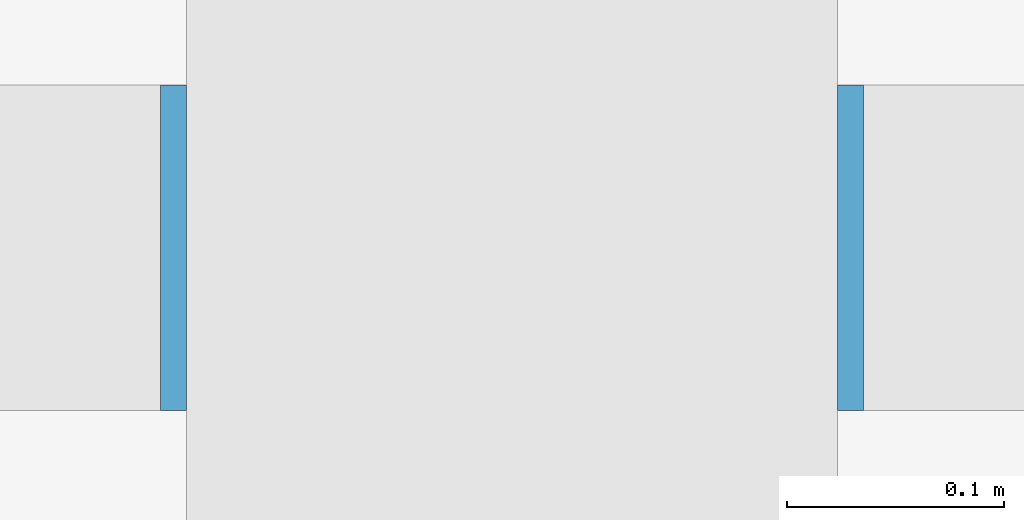
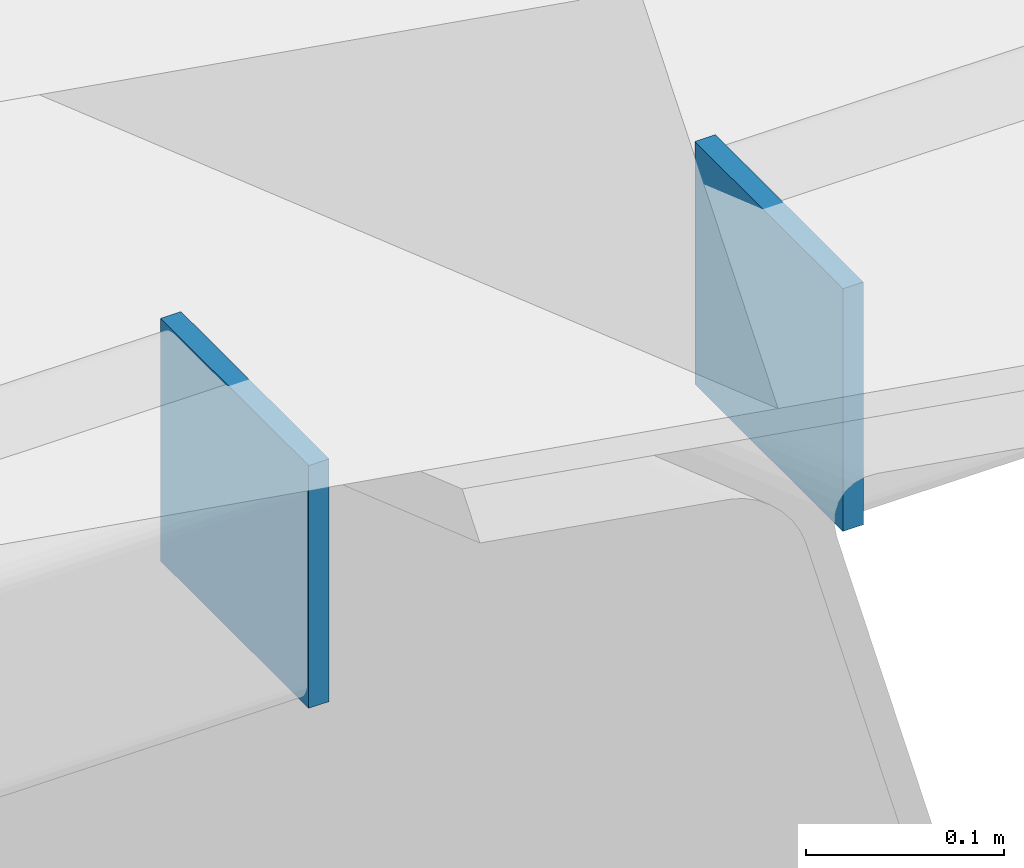
# One storey, part 100 of 110: 2 discrete accessories.
"""IFC4 building model written with IfcOpenShell, lengths in metres."""

from ifc_helpers import new_model, si_unit, direction, frame, origin, origin_2d, place, context, subcontext, project, spatial, rectangle, extrude, material, type_object, element, save


model = new_model("IFC4")

# Units and contexts
model_context = context("Model", 3, precision=1e-05, world=origin(), true_north=direction((0.0, 1.0)))
body_context = subcontext(model_context, "Body", "Model", "MODEL_VIEW")
ifc_project = project(units=[si_unit("LENGTHUNIT", "METRE"), si_unit("AREAUNIT", "SQUARE_METRE"), si_unit("VOLUMEUNIT", "CUBIC_METRE"), si_unit("PLANEANGLEUNIT", "RADIAN"), si_unit("MASSUNIT", "GRAM", prefix="KILO")], contexts=[model_context])

# Site, building, storey
site_placement = place(None, origin())
site = spatial("IfcSite", under=ifc_project, at=site_placement, CompositionType="ELEMENT")
building_placement = place(site_placement, origin())
building = spatial("IfcBuilding", under=site, at=building_placement, Name="Qawsi Khor Wholesale Market", CompositionType="ELEMENT")
storey_placement = place(building_placement, frame((0.0, 0.0, 11.39990234375)))
storey = spatial("IfcBuildingStorey", under=building, at=storey_placement, Name="L02", CompositionType="ELEMENT", Elevation=11.39990234375)

# Discrete accessories
ifc_material = material(Name="Steel S355", Category="steel")
discrete_accessory_type = type_object("IfcDiscreteAccessoryType", Name="Purlin End Cleat Plate 12 S355", PredefinedType="BRACKET", material=ifc_material)
for number, where, z_axis, x_axis, name in (
    (1, (125.843994140625, 93.60009765625, 2.658447265625), (0.0, 0.0, 1.0), (1.0, 0.0, 0.0), "Auction roof purlin 15-1 end cleat E"),
    (2, (126.156005859375, 93.60009765625, 2.658447265625), (0.0, 0.0, 1.0), (1.0, 0.0, 0.0), "Auction roof purlin 16-1 end cleat W"),
):
    element("IfcDiscreteAccessory", number, at=place(storey_placement, frame(where, z_axis=z_axis, x_axis=x_axis)), inside=storey, type_object=discrete_accessory_type, Name=name, PredefinedType="BRACKET", context=body_context, shape_type="SweptSolid", body=[
        extrude(rectangle(XDim=0.011962890625, YDim=0.14990234375, at=origin_2d()), origin(), (0.0, 0.0, 1.0), 0.14990234375),
    ])

save(model, "model.ifc")
